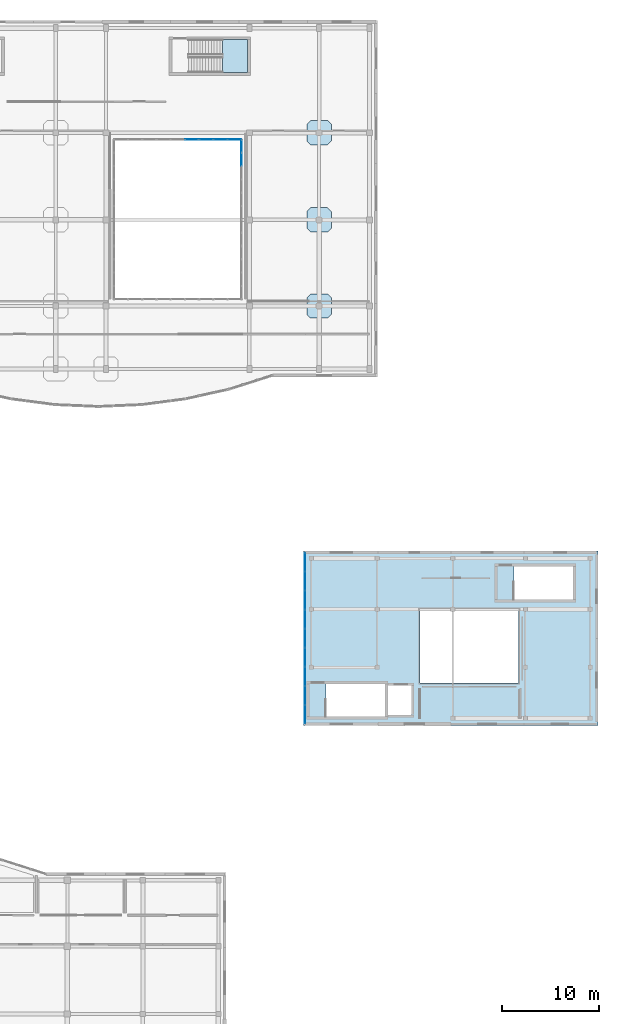
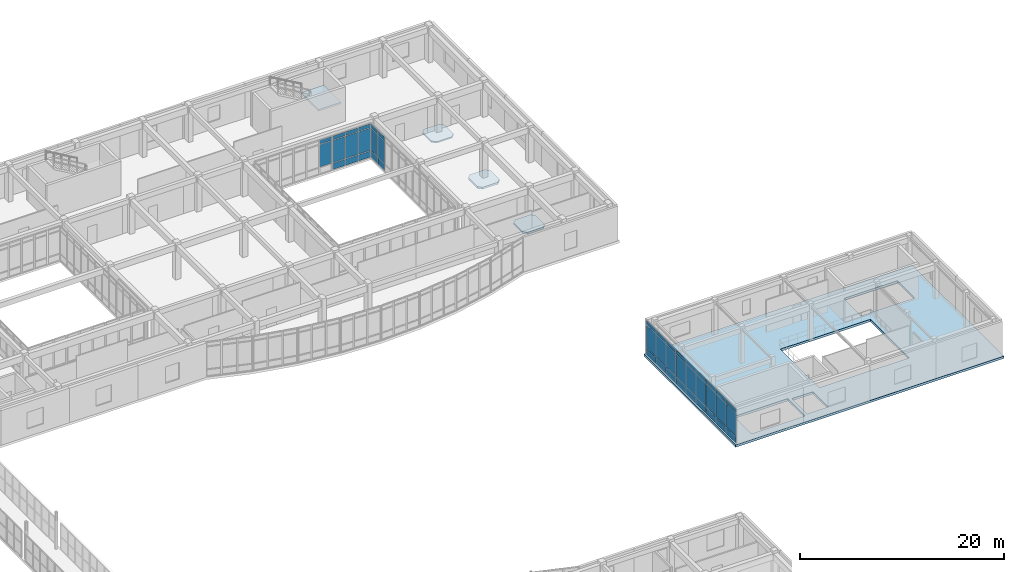
# One storey, part 115 of 142: 44 plates, 5 slabs, 7 elements without a shape of their own.
"""IFC4 building model written with IfcOpenShell, lengths in metres."""

from ifc_helpers import new_model, si_unit, direction, frame, origin, origin_2d, place, context, subcontext, project, spatial, polyline, rectangle, outline, extrude, material, layer, layer_set, type_object, element, aggregate, save


model = new_model("IFC4")

# Units and contexts
model_context = context("Model", 3, precision=1e-05, world=origin(), true_north=direction((0.0, 1.0)))
body_context = subcontext(model_context, "Body", "Model", "MODEL_VIEW")
ifc_project = project(units=[si_unit("LENGTHUNIT", "METRE"), si_unit("AREAUNIT", "SQUARE_METRE"), si_unit("VOLUMEUNIT", "CUBIC_METRE"), si_unit("PLANEANGLEUNIT", "RADIAN"), si_unit("MASSUNIT", "GRAM", prefix="KILO")], contexts=[model_context])

# Site, building, storey
site_placement = place(None, origin())
site = spatial("IfcSite", under=ifc_project, at=site_placement, CompositionType="ELEMENT")
building_placement = place(site_placement, origin())
building = spatial("IfcBuilding", under=site, at=building_placement, Name="Valcora Specialist Clinic", CompositionType="ELEMENT")
storey_placement = place(building_placement, frame((0.0, 0.0, 5.10009765625)))
storey = spatial("IfcBuildingStorey", under=building, at=storey_placement, Name="L01", CompositionType="ELEMENT", Elevation=5.10009765625)

# Curtain wall, plates
ifc_material_1 = material(Name="Anodized Bronze Aluminium 6063-T6", Category="aluminium")
ifc_layer_1 = layer(ifc_material_1, 0.175048828125)
ifc_layer_set_1 = layer_set([ifc_layer_1], Name="Anodized Bronze Aluminium 6063-T6")
curtain_wall_type_1 = type_object("IfcCurtainWallType", Name="TY-CW-HAL18", PredefinedType="NOTDEFINED", material=ifc_layer_set_1)
curtain_wall_1_placement = place(storey_placement, origin())
curtain_wall_1 = element("IfcCurtainWall", 1, at=curtain_wall_1_placement, inside=storey, type_object=curtain_wall_type_1, Name="Curtain wall CW-L01-018", PredefinedType="NOTDEFINED")
ifc_material_2 = material(Name="Low-E Laminated Insulating Glass", Category="glass")
ifc_layer_2 = layer(ifc_material_2, 0.028076171875)
ifc_layer_set_2 = layer_set([ifc_layer_2], Name="Low-E Laminated Insulating Glass")
plate_type_1 = type_object("IfcPlateType", Name="TY-CWP-GLZ28", PredefinedType="CURTAIN_PANEL", material=ifc_layer_set_2)
plate_1_placement = place(storey_placement, frame((131.75, 39.149658203125, 0.88232421875), z_axis=(0.0, 0.0, 1.0), x_axis=(0.0, 1.0, 0.0)))
plate_1 = element("IfcPlate", 2, at=plate_1_placement, type_object=plate_type_1, Name="CW-HAL-18 panel 1.2", PredefinedType="CURTAIN_PANEL", context=body_context, shape_type="SweptSolid", body=[
    extrude(rectangle(XDim=1.869140625, YDim=0.028076171875, at=origin_2d()), origin(), (0.0, 0.0, 1.0), 2.739990234375),
])
plate_2_placement = place(storey_placement, frame((131.75, 39.149658203125, 3.6875), z_axis=(0.0, 0.0, 1.0), x_axis=(0.0, 1.0, 0.0)))
plate_2 = element("IfcPlate", 3, at=plate_2_placement, type_object=plate_type_1, Name="CW-HAL-18 panel 1.3", PredefinedType="CURTAIN_PANEL", context=body_context, shape_type="SweptSolid", body=[
    extrude(rectangle(XDim=1.869140625, YDim=0.028076171875, at=origin_2d()), origin(), (0.0, 0.0, 1.0), 0.452880859375),
])
plate_3_placement = place(storey_placement, frame((131.75, 41.10009765625, 0.88232421875), z_axis=(0.0, 0.0, 1.0), x_axis=(0.0, 1.0, 0.0)))
plate_3 = element("IfcPlate", 4, at=plate_3_placement, type_object=plate_type_1, Name="CW-HAL-18 panel 2.2", PredefinedType="CURTAIN_PANEL", context=body_context, shape_type="SweptSolid", body=[
    extrude(rectangle(XDim=1.901611328125, YDim=0.028076171875, at=origin_2d()), origin(), (0.0, 0.0, 1.0), 2.739990234375),
])
plate_4_placement = place(storey_placement, frame((131.75, 41.10009765625, 3.6875), z_axis=(0.0, 0.0, 1.0), x_axis=(0.0, 1.0, 0.0)))
plate_4 = element("IfcPlate", 5, at=plate_4_placement, type_object=plate_type_1, Name="CW-HAL-18 panel 2.3", PredefinedType="CURTAIN_PANEL", context=body_context, shape_type="SweptSolid", body=[
    extrude(rectangle(XDim=1.901611328125, YDim=0.028076171875, at=origin_2d()), origin(), (0.0, 0.0, 1.0), 0.452880859375),
])
plate_5_placement = place(storey_placement, frame((131.75, 43.050537109375, 0.88232421875), z_axis=(0.0, 0.0, 1.0), x_axis=(0.0, 1.0, 0.0)))
plate_5 = element("IfcPlate", 6, at=plate_5_placement, type_object=plate_type_1, Name="CW-HAL-18 panel 3.2", PredefinedType="CURTAIN_PANEL", context=body_context, shape_type="SweptSolid", body=[
    extrude(rectangle(XDim=1.869140625, YDim=0.028076171875, at=origin_2d()), origin(), (0.0, 0.0, 1.0), 2.739990234375),
])
plate_6_placement = place(storey_placement, frame((131.75, 43.050537109375, 3.6875), z_axis=(0.0, 0.0, 1.0), x_axis=(0.0, 1.0, 0.0)))
plate_6 = element("IfcPlate", 7, at=plate_6_placement, type_object=plate_type_1, Name="CW-HAL-18 panel 3.3", PredefinedType="CURTAIN_PANEL", context=body_context, shape_type="SweptSolid", body=[
    extrude(rectangle(XDim=1.869140625, YDim=0.028076171875, at=origin_2d()), origin(), (0.0, 0.0, 1.0), 0.452880859375),
])

curtain_wall_2_placement = place(storey_placement, origin())
curtain_wall_2 = element("IfcCurtainWall", 8, at=curtain_wall_2_placement, inside=storey, type_object=curtain_wall_type_1, Name="Curtain wall CW-L01-020", PredefinedType="NOTDEFINED")
plate_7_placement = place(storey_placement, frame((131.75, 50.949462890625, 0.88232421875), z_axis=(0.0, 0.0, 1.0), x_axis=(0.0, 1.0, 0.0)))
plate_7 = element("IfcPlate", 9, at=plate_7_placement, type_object=plate_type_1, Name="CW-HAL-18 panel 1.2", PredefinedType="CURTAIN_PANEL", context=body_context, shape_type="SweptSolid", body=[
    extrude(rectangle(XDim=1.869140625, YDim=0.028076171875, at=origin_2d()), origin(), (0.0, 0.0, 1.0), 2.739990234375),
])
plate_8_placement = place(storey_placement, frame((131.75, 50.949462890625, 3.6875), z_axis=(0.0, 0.0, 1.0), x_axis=(0.0, 1.0, 0.0)))
plate_8 = element("IfcPlate", 10, at=plate_8_placement, type_object=plate_type_1, Name="CW-HAL-18 panel 1.3", PredefinedType="CURTAIN_PANEL", context=body_context, shape_type="SweptSolid", body=[
    extrude(rectangle(XDim=1.869140625, YDim=0.028076171875, at=origin_2d()), origin(), (0.0, 0.0, 1.0), 0.452880859375),
])
plate_9_placement = place(storey_placement, frame((131.75, 52.89990234375, 0.88232421875), z_axis=(0.0, 0.0, 1.0), x_axis=(0.0, 1.0, 0.0)))
plate_9 = element("IfcPlate", 11, at=plate_9_placement, type_object=plate_type_1, Name="CW-HAL-18 panel 2.2", PredefinedType="CURTAIN_PANEL", context=body_context, shape_type="SweptSolid", body=[
    extrude(rectangle(XDim=1.901611328125, YDim=0.028076171875, at=origin_2d()), origin(), (0.0, 0.0, 1.0), 2.739990234375),
])
plate_10_placement = place(storey_placement, frame((131.75, 52.89990234375, 3.6875), z_axis=(0.0, 0.0, 1.0), x_axis=(0.0, 1.0, 0.0)))
plate_10 = element("IfcPlate", 12, at=plate_10_placement, type_object=plate_type_1, Name="CW-HAL-18 panel 2.3", PredefinedType="CURTAIN_PANEL", context=body_context, shape_type="SweptSolid", body=[
    extrude(rectangle(XDim=1.901611328125, YDim=0.028076171875, at=origin_2d()), origin(), (0.0, 0.0, 1.0), 0.452880859375),
])
plate_11_placement = place(storey_placement, frame((131.75, 54.850341796875, 0.88232421875), z_axis=(0.0, 0.0, 1.0), x_axis=(0.0, 1.0, 0.0)))
plate_11 = element("IfcPlate", 13, at=plate_11_placement, type_object=plate_type_1, Name="CW-HAL-18 panel 3.2", PredefinedType="CURTAIN_PANEL", context=body_context, shape_type="SweptSolid", body=[
    extrude(rectangle(XDim=1.869140625, YDim=0.028076171875, at=origin_2d()), origin(), (0.0, 0.0, 1.0), 2.739990234375),
])
plate_12_placement = place(storey_placement, frame((131.75, 54.850341796875, 3.6875), z_axis=(0.0, 0.0, 1.0), x_axis=(0.0, 1.0, 0.0)))
plate_12 = element("IfcPlate", 14, at=plate_12_placement, type_object=plate_type_1, Name="CW-HAL-18 panel 3.3", PredefinedType="CURTAIN_PANEL", context=body_context, shape_type="SweptSolid", body=[
    extrude(rectangle(XDim=1.869140625, YDim=0.028076171875, at=origin_2d()), origin(), (0.0, 0.0, 1.0), 0.452880859375),
])

ifc_layer_3 = layer(ifc_material_1, 0.175048828125)
ifc_layer_set_3 = layer_set([ifc_layer_3], Name="Anodized Bronze Aluminium 6063-T6")
curtain_wall_type_2 = type_object("IfcCurtainWallType", Name="TY-CW-CRT15", PredefinedType="NOTDEFINED", material=ifc_layer_set_3)
curtain_wall_3_placement = place(storey_placement, origin())
curtain_wall_3 = element("IfcCurtainWall", 15, at=curtain_wall_3_placement, inside=storey, type_object=curtain_wall_type_2, Name="Curtain wall CW-L01-078", PredefinedType="NOTDEFINED")
plate_13_placement = place(storey_placement, frame((125.199951171875, 96.4375, 0.88232421875), z_axis=(0.0, 0.0, 1.0), x_axis=(0.0, 1.0, 0.0)))
plate_13 = element("IfcPlate", 16, at=plate_13_placement, type_object=plate_type_1, Name="CW-CRT-15 panel 3.2", PredefinedType="CURTAIN_PANEL", context=body_context, shape_type="SweptSolid", body=[
    extrude(rectangle(XDim=1.31005859375, YDim=0.028076171875, at=origin_2d()), origin(), (0.0, 0.0, 1.0), 2.679931640625),
])
plate_14_placement = place(storey_placement, frame((125.199951171875, 96.4375, 3.62744140625), z_axis=(0.0, 0.0, 1.0), x_axis=(0.0, 1.0, 0.0)))
plate_14 = element("IfcPlate", 17, at=plate_14_placement, type_object=plate_type_1, Name="CW-CRT-15 panel 3.3", PredefinedType="CURTAIN_PANEL", context=body_context, shape_type="SweptSolid", body=[
    extrude(rectangle(XDim=1.31005859375, YDim=0.028076171875, at=origin_2d()), origin(), (0.0, 0.0, 1.0), 0.452392578125),
])
plate_15_placement = place(storey_placement, frame((125.199951171875, 97.796142578125, 0.88232421875), z_axis=(0.0, 0.0, 1.0), x_axis=(0.0, 1.0, 0.0)))
plate_15 = element("IfcPlate", 18, at=plate_15_placement, type_object=plate_type_1, Name="CW-CRT-15 panel 4.2", PredefinedType="CURTAIN_PANEL", context=body_context, shape_type="SweptSolid", body=[
    extrude(rectangle(XDim=1.277587890625, YDim=0.028076171875, at=origin_2d()), origin(), (0.0, 0.0, 1.0), 2.679931640625),
])
plate_16_placement = place(storey_placement, frame((125.199951171875, 97.796142578125, 3.62744140625), z_axis=(0.0, 0.0, 1.0), x_axis=(0.0, 1.0, 0.0)))
plate_16 = element("IfcPlate", 19, at=plate_16_placement, type_object=plate_type_1, Name="CW-CRT-15 panel 4.3", PredefinedType="CURTAIN_PANEL", context=body_context, shape_type="SweptSolid", body=[
    extrude(rectangle(XDim=1.277587890625, YDim=0.028076171875, at=origin_2d()), origin(), (0.0, 0.0, 1.0), 0.452392578125),
])

curtain_wall_4_placement = place(storey_placement, origin())
curtain_wall_4 = element("IfcCurtainWall", 20, at=curtain_wall_4_placement, inside=storey, type_object=curtain_wall_type_2, Name="Curtain wall CW-L01-080", PredefinedType="NOTDEFINED")
plate_17_placement = place(storey_placement, frame((120.050537109375, 98.5, 0.88232421875), z_axis=(0.0, 0.0, 1.0), x_axis=(-1.0, 0.0, 0.0)))
plate_17 = element("IfcPlate", 21, at=plate_17_placement, type_object=plate_type_1, Name="CW-CRT-15 panel 1.2", PredefinedType="CURTAIN_PANEL", context=body_context, shape_type="SweptSolid", body=[
    extrude(rectangle(XDim=1.369140625, YDim=0.028076171875, at=origin_2d()), origin(), (0.0, 0.0, 1.0), 2.679931640625),
])
plate_18_placement = place(storey_placement, frame((120.050537109375, 98.5, 3.62744140625), z_axis=(0.0, 0.0, 1.0), x_axis=(-1.0, 0.0, 0.0)))
plate_18 = element("IfcPlate", 22, at=plate_18_placement, type_object=plate_type_1, Name="CW-CRT-15 panel 1.3", PredefinedType="CURTAIN_PANEL", context=body_context, shape_type="SweptSolid", body=[
    extrude(rectangle(XDim=1.369140625, YDim=0.028076171875, at=origin_2d()), origin(), (0.0, 0.0, 1.0), 0.452392578125),
])
aggregate(curtain_wall_4, [plate_17, plate_18])

curtain_wall_5_placement = place(storey_placement, origin())
curtain_wall_5 = element("IfcCurtainWall", 23, at=curtain_wall_5_placement, inside=storey, type_object=curtain_wall_type_1, Name="Curtain wall CW-L01-019", PredefinedType="NOTDEFINED")
ifc_layer_4 = layer(ifc_material_2, 0.033935546875)
ifc_layer_set_4 = layer_set([ifc_layer_4], Name="Low-E Laminated Insulating Glass")
plate_type_2 = type_object("IfcPlateType", Name="TY-CWP-GLZ34", PredefinedType="CURTAIN_PANEL", material=ifc_layer_set_4)
plate_19_placement = place(storey_placement, frame((131.75, 45.049560546875, 0.88232421875), z_axis=(0.0, 0.0, 1.0), x_axis=(0.0, 1.0, 0.0)))
plate_19 = element("IfcPlate", 24, at=plate_19_placement, type_object=plate_type_2, Name="CW-HAL-18 panel 1.2", PredefinedType="CURTAIN_PANEL", context=body_context, shape_type="SweptSolid", body=[
    extrude(rectangle(XDim=1.869140625, YDim=0.033935546875, at=origin_2d()), origin(), (0.0, 0.0, 1.0), 2.739990234375),
])
plate_20_placement = place(storey_placement, frame((131.75, 45.049560546875, 3.6875), z_axis=(0.0, 0.0, 1.0), x_axis=(0.0, 1.0, 0.0)))
plate_20 = element("IfcPlate", 25, at=plate_20_placement, type_object=plate_type_2, Name="CW-HAL-18 panel 1.3", PredefinedType="CURTAIN_PANEL", context=body_context, shape_type="SweptSolid", body=[
    extrude(rectangle(XDim=1.869140625, YDim=0.033935546875, at=origin_2d()), origin(), (0.0, 0.0, 1.0), 0.452880859375),
])
plate_21_placement = place(storey_placement, frame((131.75, 47.0, 0.88232421875), z_axis=(0.0, 0.0, 1.0), x_axis=(0.0, 1.0, 0.0)))
plate_21 = element("IfcPlate", 26, at=plate_21_placement, type_object=plate_type_2, Name="CW-HAL-18 panel 2.2", PredefinedType="CURTAIN_PANEL", context=body_context, shape_type="SweptSolid", body=[
    extrude(rectangle(XDim=1.901611328125, YDim=0.033935546875, at=origin_2d()), origin(), (0.0, 0.0, 1.0), 2.739990234375),
])
plate_22_placement = place(storey_placement, frame((131.75, 47.0, 3.6875), z_axis=(0.0, 0.0, 1.0), x_axis=(0.0, 1.0, 0.0)))
plate_22 = element("IfcPlate", 27, at=plate_22_placement, type_object=plate_type_2, Name="CW-HAL-18 panel 2.3", PredefinedType="CURTAIN_PANEL", context=body_context, shape_type="SweptSolid", body=[
    extrude(rectangle(XDim=1.901611328125, YDim=0.033935546875, at=origin_2d()), origin(), (0.0, 0.0, 1.0), 0.452880859375),
])
plate_23_placement = place(storey_placement, frame((131.75, 48.950439453125, 0.88232421875), z_axis=(0.0, 0.0, 1.0), x_axis=(0.0, 1.0, 0.0)))
plate_23 = element("IfcPlate", 28, at=plate_23_placement, type_object=plate_type_2, Name="CW-HAL-18 panel 3.2", PredefinedType="CURTAIN_PANEL", context=body_context, shape_type="SweptSolid", body=[
    extrude(rectangle(XDim=1.869140625, YDim=0.033935546875, at=origin_2d()), origin(), (0.0, 0.0, 1.0), 2.739990234375),
])
plate_24_placement = place(storey_placement, frame((131.75, 48.950439453125, 3.6875), z_axis=(0.0, 0.0, 1.0), x_axis=(0.0, 1.0, 0.0)))
plate_24 = element("IfcPlate", 29, at=plate_24_placement, type_object=plate_type_2, Name="CW-HAL-18 panel 3.3", PredefinedType="CURTAIN_PANEL", context=body_context, shape_type="SweptSolid", body=[
    extrude(rectangle(XDim=1.869140625, YDim=0.033935546875, at=origin_2d()), origin(), (0.0, 0.0, 1.0), 0.452880859375),
])

curtain_wall_6_placement = place(storey_placement, origin())
curtain_wall_6 = element("IfcCurtainWall", 30, at=curtain_wall_6_placement, inside=storey, type_object=curtain_wall_type_2, Name="Curtain wall CW-L01-079", PredefinedType="NOTDEFINED")
plate_25_placement = place(storey_placement, frame((124.450439453125, 98.5, 0.88232421875), z_axis=(0.0, 0.0, 1.0), x_axis=(-1.0, 0.0, 0.0)))
plate_25 = element("IfcPlate", 31, at=plate_25_placement, type_object=plate_type_2, Name="CW-CRT-15 panel 1.2", PredefinedType="CURTAIN_PANEL", context=body_context, shape_type="SweptSolid", body=[
    extrude(rectangle(XDim=1.369140625, YDim=0.033935546875, at=origin_2d()), origin(), (0.0, 0.0, 1.0), 2.679931640625),
])
plate_26_placement = place(storey_placement, frame((124.450439453125, 98.5, 3.62744140625), z_axis=(0.0, 0.0, 1.0), x_axis=(-1.0, 0.0, 0.0)))
plate_26 = element("IfcPlate", 32, at=plate_26_placement, type_object=plate_type_2, Name="CW-CRT-15 panel 1.3", PredefinedType="CURTAIN_PANEL", context=body_context, shape_type="SweptSolid", body=[
    extrude(rectangle(XDim=1.369140625, YDim=0.033935546875, at=origin_2d()), origin(), (0.0, 0.0, 1.0), 0.452392578125),
])
plate_27_placement = place(storey_placement, frame((123.0, 98.5, 0.88232421875), z_axis=(0.0, 0.0, 1.0), x_axis=(-1.0, 0.0, 0.0)))
plate_27 = element("IfcPlate", 33, at=plate_27_placement, type_object=plate_type_2, Name="CW-CRT-15 panel 2.2", PredefinedType="CURTAIN_PANEL", context=body_context, shape_type="SweptSolid", body=[
    extrude(rectangle(XDim=1.401611328125, YDim=0.033935546875, at=origin_2d()), origin(), (0.0, 0.0, 1.0), 2.679931640625),
])
plate_28_placement = place(storey_placement, frame((123.0, 98.5, 3.62744140625), z_axis=(0.0, 0.0, 1.0), x_axis=(-1.0, 0.0, 0.0)))
plate_28 = element("IfcPlate", 34, at=plate_28_placement, type_object=plate_type_2, Name="CW-CRT-15 panel 2.3", PredefinedType="CURTAIN_PANEL", context=body_context, shape_type="SweptSolid", body=[
    extrude(rectangle(XDim=1.401611328125, YDim=0.033935546875, at=origin_2d()), origin(), (0.0, 0.0, 1.0), 0.452392578125),
])
plate_29_placement = place(storey_placement, frame((121.549560546875, 98.5, 0.88232421875), z_axis=(0.0, 0.0, 1.0), x_axis=(-1.0, 0.0, 0.0)))
plate_29 = element("IfcPlate", 35, at=plate_29_placement, type_object=plate_type_2, Name="CW-CRT-15 panel 3.2", PredefinedType="CURTAIN_PANEL", context=body_context, shape_type="SweptSolid", body=[
    extrude(rectangle(XDim=1.369140625, YDim=0.033935546875, at=origin_2d()), origin(), (0.0, 0.0, 1.0), 2.679931640625),
])
plate_30_placement = place(storey_placement, frame((121.549560546875, 98.5, 3.62744140625), z_axis=(0.0, 0.0, 1.0), x_axis=(-1.0, 0.0, 0.0)))
plate_30 = element("IfcPlate", 36, at=plate_30_placement, type_object=plate_type_2, Name="CW-CRT-15 panel 3.3", PredefinedType="CURTAIN_PANEL", context=body_context, shape_type="SweptSolid", body=[
    extrude(rectangle(XDim=1.369140625, YDim=0.033935546875, at=origin_2d()), origin(), (0.0, 0.0, 1.0), 0.452392578125),
])

# Plate
ifc_material_3 = material(Name="Insulated Spandrel Panel")
ifc_layer_5 = layer(ifc_material_3, 0.044921875)
ifc_layer_set_5 = layer_set([ifc_layer_5], Name="Insulated Spandrel Panel")
plate_type_3 = type_object("IfcPlateType", Name="TY-CWP-SPN45", PredefinedType="SHEET", material=ifc_layer_set_5)
plate_31_placement = place(storey_placement, frame((131.75, 39.149658203125, 0.06494140625), z_axis=(0.0, 0.0, 1.0), x_axis=(0.0, 1.0, 0.0)))
plate_31 = element("IfcPlate", 37, at=plate_31_placement, type_object=plate_type_3, Name="CW-HAL-18 panel 1.1", PredefinedType="SHEET", context=body_context, shape_type="SweptSolid", body=[
    extrude(rectangle(XDim=1.869140625, YDim=0.044921875, at=origin_2d()), origin(), (0.0, 0.0, 1.0), 0.75244140625),
])

plate_32_placement = place(storey_placement, frame((131.75, 41.10009765625, 0.06494140625), z_axis=(0.0, 0.0, 1.0), x_axis=(0.0, 1.0, 0.0)))
plate_32 = element("IfcPlate", 38, at=plate_32_placement, type_object=plate_type_3, Name="CW-HAL-18 panel 2.1", PredefinedType="SHEET", context=body_context, shape_type="SweptSolid", body=[
    extrude(rectangle(XDim=1.901611328125, YDim=0.044921875, at=origin_2d()), origin(), (0.0, 0.0, 1.0), 0.75244140625),
])

plate_33_placement = place(storey_placement, frame((131.75, 43.050537109375, 0.06494140625), z_axis=(0.0, 0.0, 1.0), x_axis=(0.0, 1.0, 0.0)))
plate_33 = element("IfcPlate", 39, at=plate_33_placement, type_object=plate_type_3, Name="CW-HAL-18 panel 3.1", PredefinedType="SHEET", context=body_context, shape_type="SweptSolid", body=[
    extrude(rectangle(XDim=1.869140625, YDim=0.044921875, at=origin_2d()), origin(), (0.0, 0.0, 1.0), 0.75244140625),
])

aggregate(curtain_wall_1, [plate_31, plate_1, plate_2, plate_32, plate_3, plate_4, plate_33, plate_5, plate_6])

plate_34_placement = place(storey_placement, frame((131.75, 45.049560546875, 0.06494140625), z_axis=(0.0, 0.0, 1.0), x_axis=(0.0, 1.0, 0.0)))
plate_34 = element("IfcPlate", 40, at=plate_34_placement, type_object=plate_type_3, Name="CW-HAL-18 panel 1.1", PredefinedType="SHEET", context=body_context, shape_type="SweptSolid", body=[
    extrude(rectangle(XDim=1.869140625, YDim=0.044921875, at=origin_2d()), origin(), (0.0, 0.0, 1.0), 0.75244140625),
])

plate_35_placement = place(storey_placement, frame((131.75, 47.0, 0.06494140625), z_axis=(0.0, 0.0, 1.0), x_axis=(0.0, 1.0, 0.0)))
plate_35 = element("IfcPlate", 41, at=plate_35_placement, type_object=plate_type_3, Name="CW-HAL-18 panel 2.1", PredefinedType="SHEET", context=body_context, shape_type="SweptSolid", body=[
    extrude(rectangle(XDim=1.901611328125, YDim=0.044921875, at=origin_2d()), origin(), (0.0, 0.0, 1.0), 0.75244140625),
])

plate_36_placement = place(storey_placement, frame((131.75, 48.950439453125, 0.06494140625), z_axis=(0.0, 0.0, 1.0), x_axis=(0.0, 1.0, 0.0)))
plate_36 = element("IfcPlate", 42, at=plate_36_placement, type_object=plate_type_3, Name="CW-HAL-18 panel 3.1", PredefinedType="SHEET", context=body_context, shape_type="SweptSolid", body=[
    extrude(rectangle(XDim=1.869140625, YDim=0.044921875, at=origin_2d()), origin(), (0.0, 0.0, 1.0), 0.75244140625),
])

aggregate(curtain_wall_5, [plate_34, plate_19, plate_20, plate_35, plate_21, plate_22, plate_36, plate_23, plate_24])

plate_37_placement = place(storey_placement, frame((131.75, 50.949462890625, 0.06494140625), z_axis=(0.0, 0.0, 1.0), x_axis=(0.0, 1.0, 0.0)))
plate_37 = element("IfcPlate", 43, at=plate_37_placement, type_object=plate_type_3, Name="CW-HAL-18 panel 1.1", PredefinedType="SHEET", context=body_context, shape_type="SweptSolid", body=[
    extrude(rectangle(XDim=1.869140625, YDim=0.044921875, at=origin_2d()), origin(), (0.0, 0.0, 1.0), 0.75244140625),
])

plate_38_placement = place(storey_placement, frame((131.75, 52.89990234375, 0.06494140625), z_axis=(0.0, 0.0, 1.0), x_axis=(0.0, 1.0, 0.0)))
plate_38 = element("IfcPlate", 44, at=plate_38_placement, type_object=plate_type_3, Name="CW-HAL-18 panel 2.1", PredefinedType="SHEET", context=body_context, shape_type="SweptSolid", body=[
    extrude(rectangle(XDim=1.901611328125, YDim=0.044921875, at=origin_2d()), origin(), (0.0, 0.0, 1.0), 0.75244140625),
])

plate_39_placement = place(storey_placement, frame((131.75, 54.850341796875, 0.06494140625), z_axis=(0.0, 0.0, 1.0), x_axis=(0.0, 1.0, 0.0)))
plate_39 = element("IfcPlate", 45, at=plate_39_placement, type_object=plate_type_3, Name="CW-HAL-18 panel 3.1", PredefinedType="SHEET", context=body_context, shape_type="SweptSolid", body=[
    extrude(rectangle(XDim=1.869140625, YDim=0.044921875, at=origin_2d()), origin(), (0.0, 0.0, 1.0), 0.75244140625),
])

aggregate(curtain_wall_2, [plate_37, plate_7, plate_8, plate_38, plate_9, plate_10, plate_39, plate_11, plate_12])

plate_40_placement = place(storey_placement, frame((125.199951171875, 96.4375, 0.06494140625), z_axis=(0.0, 0.0, 1.0), x_axis=(0.0, 1.0, 0.0)))
plate_40 = element("IfcPlate", 46, at=plate_40_placement, type_object=plate_type_3, Name="CW-CRT-15 panel 3.1", PredefinedType="SHEET", context=body_context, shape_type="SweptSolid", body=[
    extrude(rectangle(XDim=1.31005859375, YDim=0.044921875, at=origin_2d()), origin(), (0.0, 0.0, 1.0), 0.75244140625),
])

plate_41_placement = place(storey_placement, frame((125.199951171875, 97.796142578125, 0.06494140625), z_axis=(0.0, 0.0, 1.0), x_axis=(0.0, 1.0, 0.0)))
plate_41 = element("IfcPlate", 47, at=plate_41_placement, type_object=plate_type_3, Name="CW-CRT-15 panel 4.1", PredefinedType="SHEET", context=body_context, shape_type="SweptSolid", body=[
    extrude(rectangle(XDim=1.277587890625, YDim=0.044921875, at=origin_2d()), origin(), (0.0, 0.0, 1.0), 0.75244140625),
])

aggregate(curtain_wall_3, [plate_40, plate_13, plate_14, plate_41, plate_15, plate_16])

plate_42_placement = place(storey_placement, frame((124.450439453125, 98.5, 0.06494140625), z_axis=(0.0, 0.0, 1.0), x_axis=(-1.0, 0.0, 0.0)))
plate_42 = element("IfcPlate", 48, at=plate_42_placement, type_object=plate_type_3, Name="CW-CRT-15 panel 1.1", PredefinedType="SHEET", context=body_context, shape_type="SweptSolid", body=[
    extrude(rectangle(XDim=1.369140625, YDim=0.044921875, at=origin_2d()), origin(), (0.0, 0.0, 1.0), 0.75244140625),
])

plate_43_placement = place(storey_placement, frame((123.0, 98.5, 0.06494140625), z_axis=(0.0, 0.0, 1.0), x_axis=(-1.0, 0.0, 0.0)))
plate_43 = element("IfcPlate", 49, at=plate_43_placement, type_object=plate_type_3, Name="CW-CRT-15 panel 2.1", PredefinedType="SHEET", context=body_context, shape_type="SweptSolid", body=[
    extrude(rectangle(XDim=1.401611328125, YDim=0.044921875, at=origin_2d()), origin(), (0.0, 0.0, 1.0), 0.75244140625),
])

plate_44_placement = place(storey_placement, frame((121.549560546875, 98.5, 0.06494140625), z_axis=(0.0, 0.0, 1.0), x_axis=(-1.0, 0.0, 0.0)))
plate_44 = element("IfcPlate", 50, at=plate_44_placement, type_object=plate_type_3, Name="CW-CRT-15 panel 3.1", PredefinedType="SHEET", context=body_context, shape_type="SweptSolid", body=[
    extrude(rectangle(XDim=1.369140625, YDim=0.044921875, at=origin_2d()), origin(), (0.0, 0.0, 1.0), 0.75244140625),
])

aggregate(curtain_wall_6, [plate_42, plate_25, plate_26, plate_43, plate_27, plate_28, plate_44, plate_29, plate_30])

# Slabs
ifc_material_4 = material(Name="Concrete C40/50", Category="concrete")
ifc_layer_6 = layer(ifc_material_4, 0.175048828125)
ifc_layer_set_6 = layer_set([ifc_layer_6], Name="Concrete C40/50")
slab_type_1 = type_object("IfcSlabType", Name="TY-SL-DP175", PredefinedType="FLOOR", material=ifc_layer_set_6)
slab_1_placement = place(storey_placement, frame((0.0, 0.0, -0.465087890625)))
element("IfcSlab", 51, at=slab_1_placement, inside=storey, type_object=slab_type_1, Name="V4 column drop panel SL-L01-047", PredefinedType="FLOOR", context=body_context, shape_type="SweptSolid", body=[
    extrude(outline(polyline([(132.320068359375, 97.949951171875), (134.080078125, 97.949951171875), (134.449951171875, 98.320068359375), (134.449951171875, 100.080078125), (134.080078125, 100.449951171875), (132.320068359375, 100.449951171875), (131.949951171875, 100.080078125), (131.949951171875, 98.320068359375), (132.320068359375, 97.949951171875)])), origin(), (0.0, 0.0, 1.0), 0.175048828125),
])
ifc_layer_7 = layer(ifc_material_4, 0.18994140625)
ifc_layer_set_7 = layer_set([ifc_layer_7], Name="Concrete C40/50")
slab_type_2 = type_object("IfcSlabType", Name="TY-SL-DP190", PredefinedType="FLOOR", material=ifc_layer_set_7)
slab_2_placement = place(storey_placement, frame((0.0, 0.0, -0.47998046875)))
element("IfcSlab", 52, at=slab_2_placement, inside=storey, type_object=slab_type_2, Name="V4 column drop panel SL-L01-045", PredefinedType="FLOOR", context=body_context, shape_type="SweptSolid", body=[
    extrude(outline(polyline([(132.320068359375, 80.050048828125), (134.080078125, 80.050048828125), (134.449951171875, 80.419921875), (134.449951171875, 82.179931640625), (134.080078125, 82.550048828125), (132.320068359375, 82.550048828125), (131.949951171875, 82.179931640625), (131.949951171875, 80.419921875), (132.320068359375, 80.050048828125)])), origin(), (0.0, 0.0, 1.0), 0.18994140625),
])
ifc_layer_8 = layer(ifc_material_4, 0.235107421875)
ifc_layer_set_8 = layer_set([ifc_layer_8], Name="Concrete C40/50")
slab_type_3 = type_object("IfcSlabType", Name="TY-SL-DP235", PredefinedType="FLOOR", material=ifc_layer_set_8)
slab_3_placement = place(storey_placement, frame((0.0, 0.0, -0.525146484375)))
element("IfcSlab", 53, at=slab_3_placement, inside=storey, type_object=slab_type_3, Name="V4 column drop panel SL-L01-046", PredefinedType="FLOOR", context=body_context, shape_type="SweptSolid", body=[
    extrude(outline(polyline([(132.320068359375, 88.949951171875), (134.080078125, 88.949951171875), (134.449951171875, 89.320068359375), (134.449951171875, 91.080078125), (134.080078125, 91.449951171875), (132.320068359375, 91.449951171875), (131.949951171875, 91.080078125), (131.949951171875, 89.320068359375), (132.320068359375, 88.949951171875)])), origin(), (0.0, 0.0, 1.0), 0.235107421875),
])
ifc_layer_9 = layer(ifc_material_4, 0.27490234375)
ifc_layer_set_9 = layer_set([ifc_layer_9], Name="Concrete C40/50")
slab_type_4 = type_object("IfcSlabType", Name="TY-SL-FLR275", PredefinedType="FLOOR", material=ifc_layer_set_9)
slab_4_placement = place(storey_placement, frame((0.0, 0.0, -0.275146484375)))
element("IfcSlab", 54, at=slab_4_placement, inside=storey, type_object=slab_type_4, Name="V3 L01 structural slab SL-L01-008", PredefinedType="FLOOR", context=body_context, shape_type="SweptSolid", body=[
    extrude(outline(polyline([(131.60009765625, 38.0), (162.0, 38.0), (162.0, 56.0), (131.60009765625, 56.0), (131.60009765625, 38.0)]), holes=[polyline([(143.60009765625, 42.39990234375), (153.800048828125, 42.39990234375), (153.800048828125, 50.0), (143.60009765625, 50.0), (143.60009765625, 42.39990234375)]), polyline([(133.900634765625, 38.89990234375), (140.0, 38.89990234375), (140.0, 42.300048828125), (133.900634765625, 42.300048828125), (133.900634765625, 38.89990234375)]), polyline([(140.320068359375, 39.10009765625), (142.719970703125, 39.10009765625), (142.719970703125, 42.10009765625), (140.320068359375, 42.10009765625), (140.320068359375, 39.10009765625)]), polyline([(153.30078125, 51.0), (159.39990234375, 51.0), (159.39990234375, 54.39990234375), (153.30078125, 54.39990234375), (153.30078125, 51.0)])]), origin(), (0.0, 0.0, 1.0), 0.275146484375),
])

# Stair, slab
stair_type = type_object("IfcStairType", Name="TY-ST-DG442", PredefinedType="HALF_TURN_STAIR", material=ifc_material_4)
stair_placement = place(storey_placement, origin())
stair = element("IfcStair", 55, at=stair_placement, inside=storey, type_object=stair_type, Name="L01 Core C-V4C stair ST-V4C", PredefinedType="HALF_TURN_STAIR")
ifc_layer_10 = layer(ifc_material_4, 0.199951171875)
ifc_layer_set_10 = layer_set([ifc_layer_10], Name="Concrete C40/50")
slab_type_5 = type_object("IfcSlabType", Name="TY-SL-LND200", PredefinedType="LANDING", material=ifc_layer_set_10)
slab_5_placement = place(storey_placement, frame((0.0, 0.0, 2.010009765625)))
slab_5 = element("IfcSlab", 56, at=slab_5_placement, type_object=slab_type_5, Name="ST-V4C landing 1", PredefinedType="LANDING", context=body_context, shape_type="SweptSolid", body=[
    extrude(outline(polyline([(123.239990234375, 105.39990234375), (125.800048828125, 105.39990234375), (125.800048828125, 108.800048828125), (123.239990234375, 108.800048828125), (123.239990234375, 105.39990234375)])), origin(), (0.0, 0.0, 1.0), 0.199951171875),
])
aggregate(stair, [slab_5])

save(model, "model.ifc")
